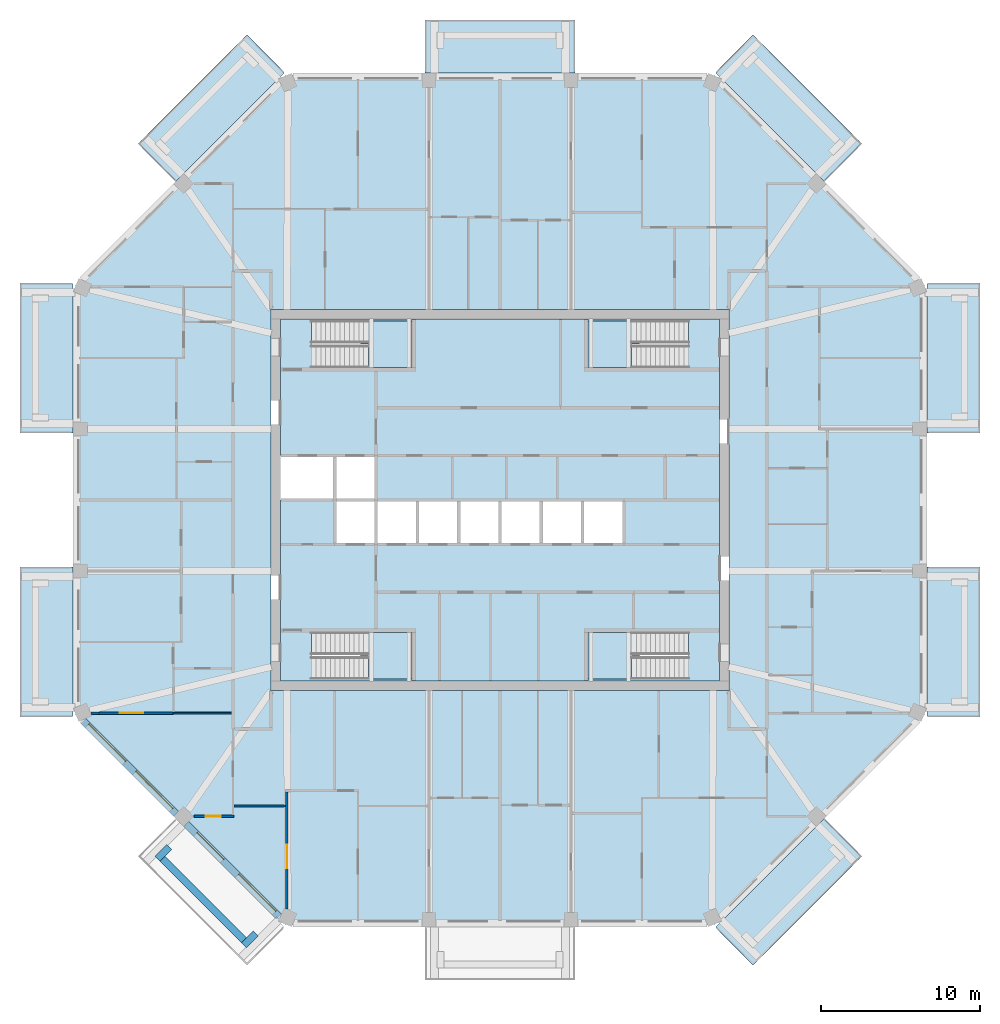
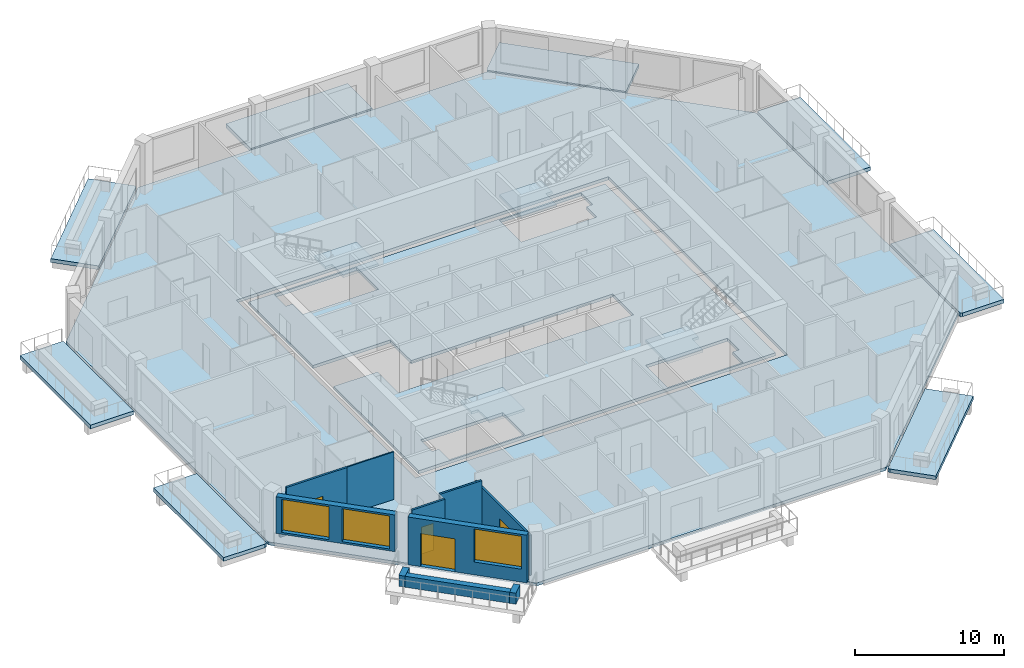
# One storey, part 2 of 12: 14 slabs, 11 walls, 4 doors, 3 windows, 7 openings, 4 elements without a shape of their own.
"""IFC4 building model written with IfcOpenShell, lengths in metres."""

from ifc_helpers import new_model, si_unit, direction, frame, frame_2d, origin, place, context, subcontext, project, spatial, polyline, rectangle, outline, extrude, material, layer, layer_set, type_object, element, fill, aggregate, save


model = new_model("IFC4")

# Units and contexts
model_context = context("Model", 3, precision=1e-05, world=origin(), true_north=direction((0.0, 1.0)))
body_context = subcontext(model_context, "Body", "Model", "MODEL_VIEW")
ifc_project = project(units=[si_unit("LENGTHUNIT", "METRE"), si_unit("AREAUNIT", "SQUARE_METRE"), si_unit("VOLUMEUNIT", "CUBIC_METRE"), si_unit("PLANEANGLEUNIT", "RADIAN"), si_unit("MASSUNIT", "GRAM", prefix="KILO")], contexts=[model_context])

# Site, building, storey
site_placement = place(None, origin())
site = spatial("IfcSite", under=ifc_project, at=site_placement, CompositionType="ELEMENT")
building_placement = place(site_placement, origin())
building = spatial("IfcBuilding", under=site, at=building_placement, Name="Msitu Wima Residences", CompositionType="ELEMENT")
storey_placement = place(building_placement, frame((0.0, 0.0, 306.300048828125)))
storey = spatial("IfcBuildingStorey", under=building, at=storey_placement, Name="L71", CompositionType="ELEMENT", Elevation=306.300048828125)

# Slabs
ifc_material_1 = material(Name="Concrete C40/50", Category="concrete")
ifc_layer_1 = layer(ifc_material_1, 0.300048828125)
ifc_layer_set_1 = layer_set([ifc_layer_1], Name="Concrete C40/50")
slab_type_1 = type_object("IfcSlabType", Name="Balcony slab BS300", PredefinedType="FLOOR", material=ifc_layer_set_1)
slab_1_placement = place(storey_placement, frame((0.0, 0.0, -0.300048828125)))
element("IfcSlab", 1, at=slab_1_placement, inside=storey, type_object=slab_type_1, Name="Balcony E0 L71", PredefinedType="FLOOR", context=body_context, shape_type="SweptSolid", body=[
    extrude(outline(polyline([(26.85009765625, -13.105224609375), (26.85009765625, -13.105224609375), (26.85009765625, -4.918701171875), (26.85009765625, -4.21875), (30.199951171875, -4.21875), (30.199951171875, -13.656005859375), (27.003662109375, -13.656005859375), (26.85009765625, -13.59228515625), (26.85009765625, -13.105224609375), (26.85009765625, -13.105224609375)])), origin(), (0.0, 0.0, 1.0), 0.300048828125),
])
slab_2_placement = place(storey_placement, frame((0.0, 0.0, -0.300048828125)))
element("IfcSlab", 2, at=slab_2_placement, inside=storey, type_object=slab_type_1, Name="Balcony E2 L71", PredefinedType="FLOOR", context=body_context, shape_type="SweptSolid", body=[
    extrude(outline(polyline([(26.85009765625, 13.105224609375), (26.85009765625, 13.105224609375), (26.85009765625, 13.105224609375), (26.85009765625, 13.59228515625), (27.003662109375, 13.656005859375), (30.199951171875, 13.656005859375), (30.199951171875, 4.21875), (26.85009765625, 4.21875), (26.85009765625, 4.918701171875), (26.85009765625, 13.105224609375)])), origin(), (0.0, 0.0, 1.0), 0.300048828125),
])
slab_3_placement = place(storey_placement, frame((0.0, 0.0, -0.300048828125)))
element("IfcSlab", 3, at=slab_3_placement, inside=storey, type_object=slab_type_1, Name="Balcony NE1 L71", PredefinedType="FLOOR", context=body_context, shape_type="SweptSolid", body=[
    extrude(outline(polyline([(13.936767578125, 26.505615234375), (13.936767578125, 26.505615234375), (13.59228515625, 26.85009765625), (13.656005859375, 27.003662109375), (15.916015625, 29.263671875), (22.766845703125, 22.4130859375), (20.39794921875, 20.04443359375), (13.936767578125, 26.505615234375), (13.936767578125, 26.505615234375)])), origin(), (0.0, 0.0, 1.0), 0.300048828125),
])
slab_4_placement = place(storey_placement, frame((0.0, 0.0, -0.300048828125)))
element("IfcSlab", 4, at=slab_4_placement, inside=storey, type_object=slab_type_1, Name="Balcony N1 L71", PredefinedType="FLOOR", context=body_context, shape_type="SweptSolid", body=[
    extrude(outline(polyline([(4.0185546875, 26.85009765625), (-4.0185546875, 26.85009765625), (-4.71875, 26.85009765625), (-4.71875, 30.199951171875), (4.71875, 30.199951171875), (4.71875, 26.85009765625), (4.0185546875, 26.85009765625)])), origin(), (0.0, 0.0, 1.0), 0.300048828125),
])
slab_5_placement = place(storey_placement, frame((0.0, 0.0, -0.300048828125)))
element("IfcSlab", 5, at=slab_5_placement, inside=storey, type_object=slab_type_1, Name="Balcony NW0 L71", PredefinedType="FLOOR", context=body_context, shape_type="SweptSolid", body=[
    extrude(outline(polyline([(-13.936767578125, 26.505615234375), (-13.936767578125, 26.505615234375), (-20.39794921875, 20.04443359375), (-22.766845703125, 22.4130859375), (-15.916015625, 29.263671875), (-13.656005859375, 27.003662109375), (-13.59228515625, 26.85009765625), (-13.936767578125, 26.505615234375), (-13.936767578125, 26.505615234375)])), origin(), (0.0, 0.0, 1.0), 0.300048828125),
])
slab_6_placement = place(storey_placement, frame((0.0, 0.0, -0.300048828125)))
element("IfcSlab", 6, at=slab_6_placement, inside=storey, type_object=slab_type_1, Name="Balcony W0 L71", PredefinedType="FLOOR", context=body_context, shape_type="SweptSolid", body=[
    extrude(outline(polyline([(-26.85009765625, 13.105224609375), (-26.85009765625, 13.105224609375), (-26.85009765625, 4.918701171875), (-26.85009765625, 4.21875), (-30.199951171875, 4.21875), (-30.199951171875, 13.656005859375), (-27.003662109375, 13.656005859375), (-26.85009765625, 13.59228515625), (-26.85009765625, 13.105224609375), (-26.85009765625, 13.105224609375)])), origin(), (0.0, 0.0, 1.0), 0.300048828125),
])
slab_7_placement = place(storey_placement, frame((0.0, 0.0, -0.300048828125)))
element("IfcSlab", 7, at=slab_7_placement, inside=storey, type_object=slab_type_1, Name="Balcony W2 L71", PredefinedType="FLOOR", context=body_context, shape_type="SweptSolid", body=[
    extrude(outline(polyline([(-26.85009765625, -13.105224609375), (-26.85009765625, -13.105224609375), (-26.85009765625, -13.105224609375), (-26.85009765625, -13.59228515625), (-27.003662109375, -13.656005859375), (-30.199951171875, -13.656005859375), (-30.199951171875, -4.21875), (-26.85009765625, -4.21875), (-26.85009765625, -4.918701171875), (-26.85009765625, -13.105224609375)])), origin(), (0.0, 0.0, 1.0), 0.300048828125),
])
slab_8_placement = place(storey_placement, frame((0.0, 0.0, -0.300048828125)))
element("IfcSlab", 8, at=slab_8_placement, inside=storey, type_object=slab_type_1, Name="Balcony SE0 L71", PredefinedType="FLOOR", context=body_context, shape_type="SweptSolid", body=[
    extrude(outline(polyline([(13.936767578125, -26.505615234375), (13.936767578125, -26.505615234375), (20.39794921875, -20.04443359375), (22.766845703125, -22.4130859375), (15.916015625, -29.263671875), (13.656005859375, -27.003662109375), (13.59228515625, -26.85009765625), (13.936767578125, -26.505615234375), (13.936767578125, -26.505615234375)])), origin(), (0.0, 0.0, 1.0), 0.300048828125),
])
ifc_layer_2 = layer(ifc_material_1, 0.25)
ifc_layer_set_2 = layer_set([ifc_layer_2], Name="Concrete C40/50")
slab_type_2 = type_object("IfcSlabType", Name="Core floor CF250", PredefinedType="FLOOR", material=ifc_layer_set_2)
slab_9_placement = place(storey_placement, frame((0.0, 0.0, -0.25)))
element("IfcSlab", 9, at=slab_9_placement, inside=storey, type_object=slab_type_2, Name="Core floor", PredefinedType="FLOOR", context=body_context, shape_type="SweptSolid", body=[
    extrude(outline(polyline([(-13.800048828125, 11.39990234375), (-13.800048828125, 2.800048828125), (-10.39990234375, 2.800048828125), (-7.800048828125, 2.800048828125), (-7.800048828125, 0.0), (-5.199951171875, 0.0), (-2.60009765625, 0.0), (0.0, 0.0), (2.60009765625, 0.0), (5.199951171875, 0.0), (7.800048828125, 0.0), (7.800048828125, -2.800048828125), (5.199951171875, -2.800048828125), (2.60009765625, -2.800048828125), (0.0, -2.800048828125), (-2.60009765625, -2.800048828125), (-5.199951171875, -2.800048828125), (-7.800048828125, -2.800048828125), (-10.39990234375, -2.800048828125), (-10.39990234375, 0.0), (-13.800048828125, 0.0), (-13.800048828125, -11.39990234375), (13.800048828125, -11.39990234375), (13.800048828125, 11.39990234375), (-13.800048828125, 11.39990234375)]), holes=[polyline([(-11.375, -11.27490234375), (-11.375, -9.875), (-11.87451171875, -9.875), (-11.87451171875, -8.324951171875), (-5.52490234375, -8.324951171875), (-5.52490234375, -11.27490234375), (-11.375, -11.27490234375)]), polyline([(-11.375, 8.324951171875), (-11.375, 9.72509765625), (-11.87451171875, 9.72509765625), (-11.87451171875, 11.27490234375), (-5.52490234375, 11.27490234375), (-5.52490234375, 8.324951171875), (-11.375, 8.324951171875)]), polyline([(11.375, -9.875), (11.375, -11.27490234375), (5.52490234375, -11.27490234375), (5.52490234375, -8.324951171875), (11.87451171875, -8.324951171875), (11.87451171875, -9.875), (11.375, -9.875)]), polyline([(11.375, 9.72509765625), (11.375, 8.324951171875), (5.52490234375, 8.324951171875), (5.52490234375, 11.27490234375), (11.87451171875, 11.27490234375), (11.87451171875, 9.72509765625), (11.375, 9.72509765625)])]), origin(), (0.0, 0.0, 1.0), 0.25),
])
ifc_layer_3 = layer(ifc_material_1, 0.25)
ifc_layer_set_3 = layer_set([ifc_layer_3], Name="Concrete C40/50")
slab_type_3 = type_object("IfcSlabType", Name="PT flat slab 250 Concrete C40/50", PredefinedType="FLOOR", material=ifc_layer_set_3)
slab_10_placement = place(storey_placement, frame((0.0, 0.0, -0.25)))
element("IfcSlab", 10, at=slab_10_placement, inside=storey, type_object=slab_type_3, Name="Floor slab L71", PredefinedType="FLOOR", context=body_context, shape_type="SweptSolid", body=[
    extrude(outline(polyline([(26.699951171875, -13.5302734375), (13.5302734375, -26.699951171875), (-13.5302734375, -26.699951171875), (-26.699951171875, -13.5302734375), (-26.699951171875, 13.5302734375), (-13.5302734375, 26.699951171875), (13.5302734375, 26.699951171875), (26.699951171875, 13.5302734375), (26.699951171875, -13.5302734375)]), holes=[polyline([(-14.39990234375, -12.0), (14.39990234375, -12.0), (14.39990234375, 12.0), (-14.39990234375, 12.0), (-14.39990234375, -12.0)])]), origin(), (0.0, 0.0, 1.0), 0.25),
])

# Stair, slab
stair_type = type_object("IfcStairType", Name="Exit stair ES1615-140", PredefinedType="HALF_TURN_STAIR", material=ifc_material_1)
stair_1_placement = place(storey_placement, origin())
stair_1 = element("IfcStair", 11, at=stair_1_placement, inside=storey, type_object=stair_type, Name="Exit stair 1", PredefinedType="HALF_TURN_STAIR")
ifc_layer_4 = layer(ifc_material_1, 0.199951171875)
ifc_layer_set_4 = layer_set([ifc_layer_4], Name="Concrete C40/50")
slab_type_4 = type_object("IfcSlabType", Name="Stair landing SL200", PredefinedType="LANDING", material=ifc_layer_set_4)
slab_11_placement = place(storey_placement, frame((0.0, 0.0, 1.89990234375)))
slab_11 = element("IfcSlab", 12, at=slab_11_placement, type_object=slab_type_4, Name="S1 landing 1", PredefinedType="LANDING", context=body_context, shape_type="SweptSolid", body=[
    extrude(outline(polyline([(-5.52490234375, 8.324951171875), (-8.275390625, 8.324951171875), (-8.275390625, 9.800048828125), (-8.77490234375, 9.800048828125), (-8.77490234375, 11.27490234375), (-5.52490234375, 11.27490234375), (-5.52490234375, 8.324951171875)])), origin(), (0.0, 0.0, 1.0), 0.199951171875),
])
aggregate(stair_1, [slab_11])

stair_2_placement = place(storey_placement, origin())
stair_2 = element("IfcStair", 13, at=stair_2_placement, inside=storey, type_object=stair_type, Name="Exit stair 2", PredefinedType="HALF_TURN_STAIR")
slab_12_placement = place(storey_placement, frame((0.0, 0.0, 1.89990234375)))
slab_12 = element("IfcSlab", 14, at=slab_12_placement, type_object=slab_type_4, Name="S2 landing 1", PredefinedType="LANDING", context=body_context, shape_type="SweptSolid", body=[
    extrude(outline(polyline([(-5.52490234375, -11.27490234375), (-8.275390625, -11.27490234375), (-8.275390625, -9.800048828125), (-8.77490234375, -9.800048828125), (-8.77490234375, -8.324951171875), (-5.52490234375, -8.324951171875), (-5.52490234375, -11.27490234375)])), origin(), (0.0, 0.0, 1.0), 0.199951171875),
])
aggregate(stair_2, [slab_12])

stair_3_placement = place(storey_placement, origin())
stair_3 = element("IfcStair", 15, at=stair_3_placement, inside=storey, type_object=stair_type, Name="Exit stair 3", PredefinedType="HALF_TURN_STAIR")
slab_13_placement = place(storey_placement, frame((0.0, 0.0, 1.89990234375)))
slab_13 = element("IfcSlab", 16, at=slab_13_placement, type_object=slab_type_4, Name="S3 landing 1", PredefinedType="LANDING", context=body_context, shape_type="SweptSolid", body=[
    extrude(outline(polyline([(5.52490234375, 8.324951171875), (8.275390625, 8.324951171875), (8.275390625, 9.800048828125), (8.77490234375, 9.800048828125), (8.77490234375, 11.27490234375), (5.52490234375, 11.27490234375), (5.52490234375, 8.324951171875)])), origin(), (0.0, 0.0, 1.0), 0.199951171875),
])
aggregate(stair_3, [slab_13])

stair_4_placement = place(storey_placement, origin())
stair_4 = element("IfcStair", 17, at=stair_4_placement, inside=storey, type_object=stair_type, Name="Exit stair 4", PredefinedType="HALF_TURN_STAIR")
slab_14_placement = place(storey_placement, frame((0.0, 0.0, 1.89990234375)))
slab_14 = element("IfcSlab", 18, at=slab_14_placement, type_object=slab_type_4, Name="S4 landing 1", PredefinedType="LANDING", context=body_context, shape_type="SweptSolid", body=[
    extrude(outline(polyline([(5.52490234375, -11.27490234375), (8.275390625, -11.27490234375), (8.275390625, -9.800048828125), (8.77490234375, -9.800048828125), (8.77490234375, -8.324951171875), (5.52490234375, -8.324951171875), (5.52490234375, -11.27490234375)])), origin(), (0.0, 0.0, 1.0), 0.199951171875),
])
aggregate(stair_4, [slab_14])

# Walls
ifc_material_2 = material(Name="Facing brick")
ifc_layer_5 = layer(ifc_material_2, 0.06494140625, Name="Facing brick")
ifc_layer_6 = layer(ifc_material_1, 0.156005859375, Name="Concrete C40/50")
ifc_material_3 = material(Name="Waterproofing membrane")
ifc_layer_7 = layer(ifc_material_3, 0.00390625, Name="Waterproofing membrane")
ifc_material_4 = material(Name="Planting soil and planting")
ifc_layer_8 = layer(ifc_material_4, 0.22509765625, Name="Planting soil and planting")
ifc_layer_set_5 = layer_set([ifc_layer_5, ifc_layer_6, ifc_layer_7, ifc_layer_8], Name="Concrete C40/50")
wall_type_1 = type_object("IfcWallType", Name="Balcony planter PLANTER PL450", PredefinedType="USERDEFINED", material=ifc_layer_set_5)
wall_1_placement = place(storey_placement, frame((-21.228759765625, -22.572265625, 0.0), z_axis=(0.0, 0.0, 1.0), x_axis=(0.707106781187, -0.707106781187, 0.0)))
element("IfcWall", 19, at=wall_1_placement, inside=storey, type_object=wall_type_1, Name="Balcony planter SW1 L71", ObjectType="PLANTER", PredefinedType="USERDEFINED", context=body_context, shape_type="SweptSolid", body=[
    extrude(rectangle(XDim=7.23828125, YDim=0.449951171875, at=frame_2d((3.619140625, 0.0))), origin(), (0.0, 0.0, 1.0), 0.89990234375),
])
for number, where, z_axis, x_axis, name in (
    (20, (-20.804443359375, -21.829833984375, 0.0), (0.0, 0.0, 1.0), (-0.707106781187, -0.707106781187, 0.0), "Balcony planter SW1 L71"),
    (21, (-15.3681640625, -27.26611328125, 0.0), (0.0, 0.0, 1.0), (-0.706990528533, -0.707223014731, 0.0), "Balcony planter SW1 L71"),
):
    element("IfcWall", number, at=place(storey_placement, frame(where, z_axis=z_axis, x_axis=x_axis)), inside=storey, type_object=wall_type_1, Name=name, ObjectType="PLANTER", PredefinedType="USERDEFINED", context=body_context, shape_type="SweptSolid", body=[
        extrude(rectangle(XDim=1.050048828125, YDim=0.449951171875, at=frame_2d((0.52490234375, 0.0))), origin(), (0.0, 0.0, 1.0), 0.89990234375),
    ])

# Wall, openings, windows
ifc_material_5 = material(Name="Brick (red buff mix)", Category="masonry")
ifc_layer_9 = layer(ifc_material_5, 0.449951171875)
ifc_layer_set_6 = layer_set([ifc_layer_9], Name="Brick (red buff mix)")
wall_type_2 = type_object("IfcWallType", Name="Brick infill wall BW450", PredefinedType="SOLIDWALL", material=ifc_layer_set_6)
wall_2_placement = place(storey_placement, frame((-26.214599609375, -13.909423828125, 0.89990234375), z_axis=(0.0, 0.0, 1.0), x_axis=(0.707106781187, -0.707106781187, 0.0)))
wall_2 = element("IfcWall", 22, at=wall_2_placement, inside=storey, type_object=wall_type_2, Name="Brick infill wall L71 SW0", PredefinedType="SOLIDWALL", context=body_context, shape_type="SweptSolid", body=[
    extrude(rectangle(XDim=8.251220703125, YDim=0.449951171875, at=frame_2d((4.12548828125, 0.0))), origin(), (0.0, 0.0, 1.0), 3.0),
])
opening_1_placement = place(wall_2_placement, frame((0.37548828125, 0.0, 0.14990234375)))
opening_1 = element("IfcOpeningElement", 23, at=opening_1_placement, cuts=wall_2, Name="Opening W71.024", PredefinedType="OPENING", context=body_context, shape_type="SweptSolid", body=[
    extrude(rectangle(XDim=3.300048828125, YDim=2.699951171875, at=frame_2d((1.64990234375, 1.35009765625))), frame((0.0, 0.23486328125, 0.0), z_axis=(0.0, -1.0, 0.0), x_axis=(1.0, 0.0, 0.0)), (0.0, 0.0, 1.0), 0.469970703125),
])
opening_2_placement = place(wall_2_placement, frame((4.57568359375, 0.0, 0.14990234375)))
opening_2 = element("IfcOpeningElement", 24, at=opening_2_placement, cuts=wall_2, Name="Opening W71.025", PredefinedType="OPENING", context=body_context, shape_type="SweptSolid", body=[
    extrude(rectangle(XDim=3.300048828125, YDim=2.699951171875, at=frame_2d((1.64990234375, 1.35009765625))), frame((0.0, 0.23486328125, 0.0), z_axis=(0.0, -1.0, 0.0), x_axis=(1.0, 0.0, 0.0)), (0.0, 0.0, 1.0), 0.469970703125),
])
ifc_material_6 = material(Name="Anodised aluminium, bronze finish, clear low-emissivity double glazing", Category="aluminium")
window_type = type_object("IfcWindowType", Name="Window W3300x2700", PartitioningType="DOUBLE_PANEL_VERTICAL", PredefinedType="WINDOW", material=ifc_material_6)
window_1_placement = place(opening_1_placement, origin())
window_1 = element("IfcWindow", 25, at=window_1_placement, inside=storey, type_object=window_type, Name="Window L71 SW0.1", OverallHeight=2.699951171875, OverallWidth=3.300048828125, PartitioningType="SINGLE_PANEL", PredefinedType="WINDOW", context=body_context, shape_type="SweptSolid", body=[
    extrude(rectangle(XDim=3.300048828125, YDim=2.699951171875, at=frame_2d((1.64990234375, 1.35009765625))), frame((0.0, 0.135009765625, 0.0), z_axis=(0.0, -1.0, 0.0), x_axis=(1.0, 0.0, 0.0)), (0.0, 0.0, 1.0), 0.06005859375),
])
fill(opening_1, window_1)
window_2_placement = place(opening_2_placement, origin())
window_2 = element("IfcWindow", 26, at=window_2_placement, inside=storey, type_object=window_type, Name="Window L71 SW0.2", OverallHeight=2.699951171875, OverallWidth=3.300048828125, PartitioningType="SINGLE_PANEL", PredefinedType="WINDOW", context=body_context, shape_type="SweptSolid", body=[
    extrude(rectangle(XDim=3.300048828125, YDim=2.699951171875, at=frame_2d((1.64990234375, 1.35009765625))), frame((0.0, 0.135009765625, 0.0), z_axis=(0.0, -1.0, 0.0), x_axis=(1.0, 0.0, 0.0)), (0.0, 0.0, 1.0), 0.06005859375),
])
fill(opening_2, window_2)

# Wall, openings, door, window
wall_3_placement = place(storey_placement, frame((-19.743896484375, -20.380126953125, 0.0), z_axis=(0.0, 0.0, 1.0), x_axis=(0.707106781187, -0.707106781187, 0.0)))
wall_3 = element("IfcWall", 27, at=wall_3_placement, inside=storey, type_object=wall_type_2, Name="Brick infill wall L71 SW1", PredefinedType="SOLIDWALL", context=body_context, shape_type="SweptSolid", body=[
    extrude(rectangle(XDim=8.251220703125, YDim=0.449951171875, at=frame_2d((4.12548828125, 0.0))), origin(), (0.0, 0.0, 1.0), 3.89990234375),
])
opening_3_placement = place(wall_3_placement, frame((0.86279296875, 0.0, 0.0)))
opening_3 = element("IfcOpeningElement", 28, at=opening_3_placement, cuts=wall_3, Name="Opening D71.008", PredefinedType="OPENING", context=body_context, shape_type="SweptSolid", body=[
    extrude(rectangle(XDim=2.39990234375, YDim=2.699951171875, at=frame_2d((1.199951171875, 1.35009765625))), frame((0.0, 0.23486328125, 0.0), z_axis=(0.0, -1.0, 0.0), x_axis=(1.0, 0.0, 0.0)), (0.0, 0.0, 1.0), 0.469970703125),
])
opening_4_placement = place(wall_3_placement, frame((4.57568359375, 0.0, 1.050048828125)))
opening_4 = element("IfcOpeningElement", 29, at=opening_4_placement, cuts=wall_3, Name="Opening W71.026", PredefinedType="OPENING", context=body_context, shape_type="SweptSolid", body=[
    extrude(rectangle(XDim=3.300048828125, YDim=2.699951171875, at=frame_2d((1.64990234375, 1.35009765625))), frame((0.0, 0.23486328125, 0.0), z_axis=(0.0, -1.0, 0.0), x_axis=(1.0, 0.0, 0.0)), (0.0, 0.0, 1.0), 0.469970703125),
])
door_type_1 = type_object("IfcDoorType", Name="Balcony door D2400x2700", OperationType="SLIDING_TO_LEFT", PredefinedType="DOOR", material=ifc_material_6)
door_1_placement = place(opening_3_placement, origin())
door_1 = element("IfcDoor", 30, at=door_1_placement, inside=storey, type_object=door_type_1, Name="Balcony door L71 SW1", OperationType="SINGLE_SWING_LEFT", OverallHeight=2.699951171875, OverallWidth=2.39990234375, PredefinedType="DOOR", context=body_context, shape_type="SweptSolid", body=[
    extrude(rectangle(XDim=2.39990234375, YDim=2.699951171875, at=frame_2d((1.199951171875, 1.35009765625))), frame((0.0, 0.1298828125, 0.0), z_axis=(0.0, -1.0, 0.0), x_axis=(1.0, 0.0, 0.0)), (0.0, 0.0, 1.0), 0.050048828125),
])
fill(opening_3, door_1)
window_3_placement = place(opening_4_placement, origin())
window_3 = element("IfcWindow", 31, at=window_3_placement, inside=storey, type_object=window_type, Name="Window L71 SW1.2", OverallHeight=2.699951171875, OverallWidth=3.300048828125, PartitioningType="SINGLE_PANEL", PredefinedType="WINDOW", context=body_context, shape_type="SweptSolid", body=[
    extrude(rectangle(XDim=3.300048828125, YDim=2.699951171875, at=frame_2d((1.64990234375, 1.35009765625))), frame((0.0, 0.135009765625, 0.0), z_axis=(0.0, -1.0, 0.0), x_axis=(1.0, 0.0, 0.0)), (0.0, 0.0, 1.0), 0.06005859375),
])
fill(opening_4, window_3)

# Wall
ifc_material_7 = material(Name="Plaster")
ifc_layer_10 = layer(ifc_material_7, 0.011962890625, Name="Plaster")
ifc_material_8 = material(Name="Concrete blockwork", Category="masonry")
ifc_layer_11 = layer(ifc_material_8, 0.1259765625, Name="Concrete blockwork")
ifc_layer_12 = layer(ifc_material_7, 0.011962890625, Name="Plaster")
ifc_layer_set_7 = layer_set([ifc_layer_10, ifc_layer_11, ifc_layer_12], Name="Concrete blockwork")
wall_type_3 = type_object("IfcWallType", Name="Partition PW150", PredefinedType="PARTITIONING", material=ifc_layer_set_7)
wall_4_placement = place(storey_placement, frame((-25.731201171875, -13.406005859375, 0.0), z_axis=(0.0, 0.0, 1.0), x_axis=(1.0, 0.0, 0.0)))
element("IfcWall", 32, at=wall_4_placement, inside=storey, type_object=wall_type_3, Name="Partition", PredefinedType="PARTITIONING", context=body_context, shape_type="SweptSolid", body=[
    extrude(rectangle(XDim=0.507080078125, YDim=0.14990234375, at=frame_2d((0.25341796875, 0.0))), origin(), (0.0, 0.0, 1.0), 3.300048828125),
])

# Wall, opening, door
wall_5_placement = place(storey_placement, frame((-25.22412109375, -13.406005859375, 0.0), z_axis=(0.0, 0.0, 1.0), x_axis=(1.0, 0.0, 0.0)))
wall_5 = element("IfcWall", 33, at=wall_5_placement, inside=storey, type_object=wall_type_3, Name="Partition", PredefinedType="PARTITIONING", context=body_context, shape_type="SweptSolid", body=[
    extrude(rectangle(XDim=4.674072265625, YDim=0.14990234375, at=frame_2d((2.3369140625, 0.0))), origin(), (0.0, 0.0, 1.0), 3.89990234375),
])
opening_5_placement = place(wall_5_placement, frame((1.29296875, 0.0, 0.0)))
opening_5 = element("IfcOpeningElement", 34, at=opening_5_placement, cuts=wall_5, Name="Opening D71.059", PredefinedType="OPENING", context=body_context, shape_type="SweptSolid", body=[
    extrude(rectangle(XDim=1.5, YDim=2.199951171875, at=frame_2d((0.75, 1.10009765625))), frame((0.0, 0.0849609375, 0.0), z_axis=(0.0, -1.0, 0.0), x_axis=(1.0, 0.0, 0.0)), (0.0, 0.0, 1.0), 0.169921875),
])
ifc_material_9 = material(Name="Timber double door", Category="wood")
door_type_2 = type_object("IfcDoorType", Name="Double door D04 1500x2200", OperationType="DOUBLE_DOOR_SINGLE_SWING", PredefinedType="DOOR", material=ifc_material_9)
door_2_placement = place(opening_5_placement, origin())
door_2 = element("IfcDoor", 35, at=door_2_placement, inside=storey, type_object=door_type_2, Name="Double door", OperationType="DOUBLE_DOOR_SINGLE_SWING", OverallHeight=2.199951171875, OverallWidth=1.5, PredefinedType="DOOR", context=body_context, shape_type="SweptSolid", body=[
    extrude(rectangle(XDim=1.5, YDim=2.199951171875, at=frame_2d((0.75, 1.10009765625))), frame((0.0, 0.02490234375, 0.0), z_axis=(0.0, -1.0, 0.0), x_axis=(1.0, 0.0, 0.0)), (0.0, 0.0, 1.0), 0.050048828125),
])
fill(opening_5, door_2)

wall_6_placement = place(storey_placement, frame((-19.2666015625, -19.90283203125, 0.0), z_axis=(0.0, 0.0, 1.0), x_axis=(1.0, 0.0, 0.0)))
wall_6 = element("IfcWall", 36, at=wall_6_placement, inside=storey, type_object=wall_type_3, Name="Partition", PredefinedType="PARTITIONING", context=body_context, shape_type="SweptSolid", body=[
    extrude(rectangle(XDim=2.54150390625, YDim=0.14990234375, at=frame_2d((1.270751953125, 0.0))), origin(), (0.0, 0.0, 1.0), 3.89990234375),
])
opening_6_placement = place(wall_6_placement, frame((0.75, 0.0, 0.0)))
opening_6 = element("IfcOpeningElement", 37, at=opening_6_placement, cuts=wall_6, Name="Opening D71.061", PredefinedType="OPENING", context=body_context, shape_type="SweptSolid", body=[
    extrude(rectangle(XDim=0.949951171875, YDim=2.199951171875, at=frame_2d((0.47509765625, 1.10009765625))), frame((0.0, 0.0849609375, 0.0), z_axis=(0.0, -1.0, 0.0), x_axis=(1.0, 0.0, 0.0)), (0.0, 0.0, 1.0), 0.169921875),
])
ifc_material_10 = material(Name="Timber flush door", Category="wood")
door_type_3 = type_object("IfcDoorType", Name="Room door D12 950x2200", OperationType="SINGLE_SWING_LEFT", PredefinedType="DOOR", material=ifc_material_10)
door_3_placement = place(opening_6_placement, origin())
door_3 = element("IfcDoor", 38, at=door_3_placement, inside=storey, type_object=door_type_3, Name="Room door", OperationType="SINGLE_SWING_RIGHT", OverallHeight=2.199951171875, OverallWidth=0.949951171875, PredefinedType="DOOR", context=body_context, shape_type="SweptSolid", body=[
    extrude(rectangle(XDim=0.949951171875, YDim=2.199951171875, at=frame_2d((0.47509765625, 1.10009765625))), frame((0.0, 0.02490234375, 0.0), z_axis=(0.0, -1.0, 0.0), x_axis=(1.0, 0.0, 0.0)), (0.0, 0.0, 1.0), 0.050048828125),
])
fill(opening_6, door_3)

# Wall
wall_7_placement = place(storey_placement, frame((-16.72509765625, -19.25, 0.0), z_axis=(0.0, 0.0, 1.0), x_axis=(1.0, 0.0, 0.0)))
element("IfcWall", 39, at=wall_7_placement, inside=storey, type_object=wall_type_3, Name="Partition", PredefinedType="PARTITIONING", context=body_context, shape_type="SweptSolid", body=[
    extrude(rectangle(XDim=3.244140625, YDim=0.14990234375, at=frame_2d((1.6220703125, 0.0))), origin(), (0.0, 0.0, 1.0), 3.89990234375),
])

# Wall, opening, door
wall_8_placement = place(storey_placement, frame((-13.406005859375, -25.731201171875, 0.0), z_axis=(0.0, 0.0, 1.0), x_axis=(0.0, 1.0, 0.0)))
wall_8 = element("IfcWall", 40, at=wall_8_placement, inside=storey, type_object=wall_type_3, Name="Partition", PredefinedType="PARTITIONING", context=body_context, shape_type="SweptSolid", body=[
    extrude(rectangle(XDim=7.356201171875, YDim=0.14990234375, at=frame_2d((3.67822265625, 0.0))), origin(), (0.0, 0.0, 1.0), 3.300048828125),
])
opening_7_placement = place(wall_8_placement, frame((2.550048828125, 0.0, 0.0)))
opening_7 = element("IfcOpeningElement", 41, at=opening_7_placement, cuts=wall_8, Name="Opening D71.062", PredefinedType="OPENING", context=body_context, shape_type="SweptSolid", body=[
    extrude(rectangle(XDim=1.5, YDim=2.199951171875, at=frame_2d((0.75, 1.10009765625))), frame((0.0, 0.0849609375, 0.0), z_axis=(0.0, -1.0, 0.0), x_axis=(1.0, 0.0, 0.0)), (0.0, 0.0, 1.0), 0.169921875),
])
door_4_placement = place(opening_7_placement, origin())
door_4 = element("IfcDoor", 42, at=door_4_placement, inside=storey, type_object=door_type_2, Name="Double door", OperationType="DOUBLE_DOOR_SINGLE_SWING", OverallHeight=2.199951171875, OverallWidth=1.5, PredefinedType="DOOR", context=body_context, shape_type="SweptSolid", body=[
    extrude(rectangle(XDim=1.5, YDim=2.199951171875, at=frame_2d((0.75, 1.10009765625))), frame((0.0, 0.02490234375, 0.0), z_axis=(0.0, -1.0, 0.0), x_axis=(1.0, 0.0, 0.0)), (0.0, 0.0, 1.0), 0.050048828125),
])
fill(opening_7, door_4)

# Wall
ifc_material_11 = material(Name="Ceramic tiles")
ifc_layer_13 = layer(ifc_material_11, 0.008056640625, Name="Ceramic tiles")
ifc_material_12 = material(Name="Moisture-resistant board")
ifc_layer_14 = layer(ifc_material_12, 0.012451171875, Name="Moisture-resistant board")
ifc_material_13 = material(Name="Light-gauge stud framing with mineral wool")
ifc_layer_15 = layer(ifc_material_13, 0.06689453125, Name="Light-gauge stud framing with mineral wool")
ifc_layer_16 = layer(ifc_material_12, 0.012451171875, Name="Moisture-resistant board")
ifc_layer_set_8 = layer_set([ifc_layer_13, ifc_layer_14, ifc_layer_15, ifc_layer_16], Name="Light-gauge stud framing with mineral wool")
wall_type_4 = type_object("IfcWallType", Name="Wet wall PW100", PredefinedType="PARTITIONING", material=ifc_layer_set_8)
wall_9_placement = place(storey_placement, frame((-20.550048828125, -13.406005859375, 0.0), z_axis=(0.0, 0.0, 1.0), x_axis=(1.0, 0.0, 0.0)))
element("IfcWall", 43, at=wall_9_placement, inside=storey, type_object=wall_type_4, Name="Wet wall", PredefinedType="PARTITIONING", context=body_context, shape_type="SweptSolid", body=[
    extrude(rectangle(XDim=3.650146484375, YDim=0.10009765625, at=frame_2d((1.8251953125, 0.0))), origin(), (0.0, 0.0, 1.0), 3.89990234375),
])

save(model, "model.ifc")
